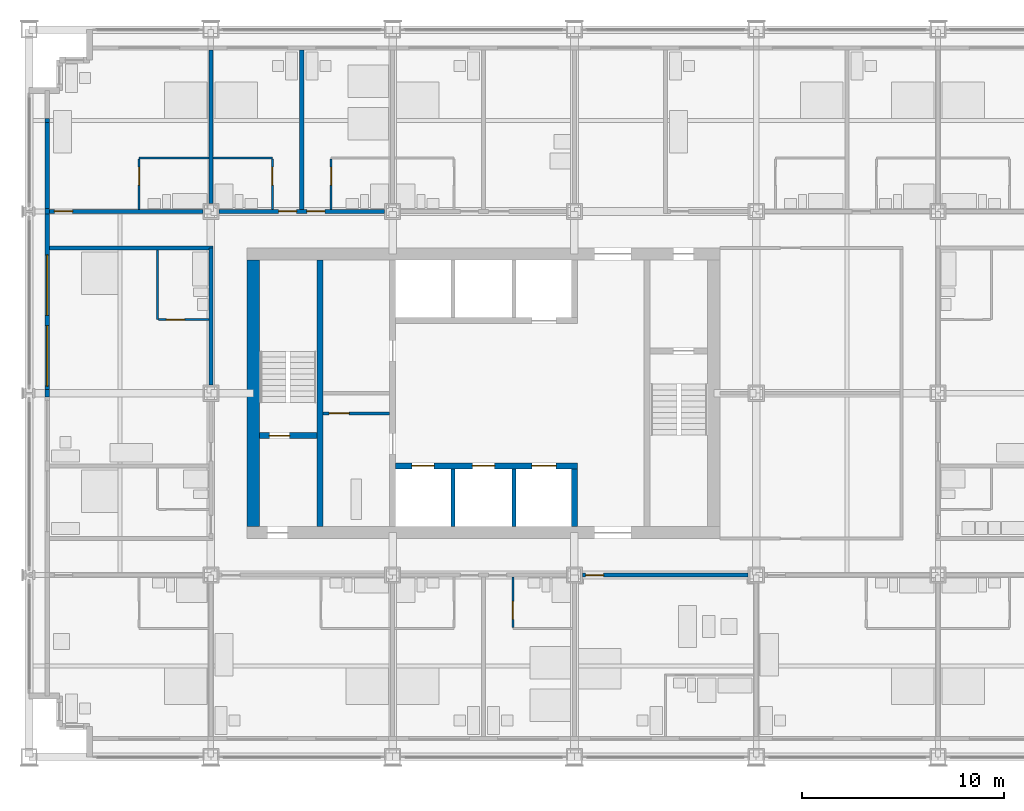
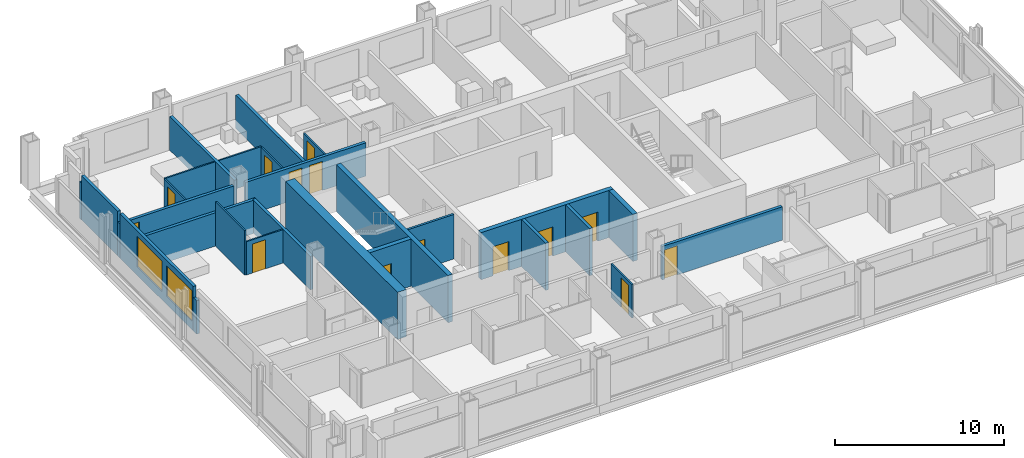
# One storey, part 11 of 18: 28 walls, 14 doors, 2 windows, 16 openings.
"""IFC4 building model written with IfcOpenShell, lengths in metres."""

import ifcopenshell
import ifcopenshell.guid

model = None  # the IFC model being written
_history = None  # IfcOwnerHistory: only IFC2X3 demands one
_inside = {}  # id of a spatial element -> (the spatial element, [elements in it])
_under = {}  # id of a project, library or spatial element -> (it, [spatial elements below it])
_declared = {}  # id of a project -> (the project, [libraries it declares])
_typed = {}  # id of a type object -> (the type object, [elements of that type])
_made_of = {}  # id of a material, layer set ... -> (it, [elements and type objects made of it])


def new_model(schema):
    """Start an empty IFC model of exactly this schema.

    Asked for "IFC4X3", IfcOpenShell would pick the latest addendum, in which some entities
    have other attributes; the version numbers below select the first issue.
    IFC2X3 requires an IfcOwnerHistory on every rooted entity: one is made here for all.
    """
    global model, _history
    if schema == "IFC4X3":
        model = ifcopenshell.file(schema_version=(4, 3, 0, 0))
    else:
        model = ifcopenshell.file(schema=schema)
    _inside.clear()
    _under.clear()
    _declared.clear()
    _typed.clear()
    _made_of.clear()
    _history = None
    if model.schema == "IFC2X3":
        org = make("IfcOrganization", Name="unknown")
        user = make(
            "IfcPersonAndOrganization",
            ThePerson=make("IfcPerson", FamilyName="unknown"),
            TheOrganization=org,
        )
        app = make(
            "IfcApplication",
            ApplicationDeveloper=org,
            Version="unknown",
            ApplicationFullName="unknown",
            ApplicationIdentifier="unknown",
        )
        _history = make(
            "IfcOwnerHistory",
            OwningUser=user,
            OwningApplication=app,
            ChangeAction="ADDED",
            CreationDate=0,
        )
    return model


def make(cls, **values):
    """One entity of the class cls with the attributes given. An attribute that is None is left unset."""
    return model.create_entity(
        cls, **{name: value for name, value in values.items() if value is not None}
    )


def rooted(cls, **values):
    """An entity with a GlobalId (a new one), such as an element, a storey or a relation."""
    return make(cls, GlobalId=ifcopenshell.guid.new(), OwnerHistory=_history, **values)


def si_unit(unit_type, name, prefix=None):
    """IfcSIUnit, for example si_unit("LENGTHUNIT", "METRE", prefix="MILLI")."""
    return make("IfcSIUnit", UnitType=unit_type, Prefix=prefix, Name=name)


def assignment(units):
    """IfcUnitAssignment: the units of a project."""
    return None if units is None else make("IfcUnitAssignment", Units=units)


def point(xyz):
    """IfcCartesianPoint."""
    return None if xyz is None else make("IfcCartesianPoint", Coordinates=xyz)


def direction(xyz):
    """IfcDirection."""
    return None if xyz is None else make("IfcDirection", DirectionRatios=xyz)


def frame(location, z_axis=None, x_axis=None):
    """IfcAxis2Placement3D, a coordinate frame: its origin and axes. An axis left out is left unset."""
    return make(
        "IfcAxis2Placement3D",
        Location=point(location),
        Axis=direction(z_axis),
        RefDirection=direction(x_axis),
    )


def frame_2d(location, x_axis=None):
    """IfcAxis2Placement2D, a coordinate frame in the plane: its origin and x axis."""
    return make(
        "IfcAxis2Placement2D", Location=point(location), RefDirection=direction(x_axis)
    )


def origin():
    """The frame at (0, 0, 0) with its axes left unset."""
    return frame((0.0, 0.0, 0.0))


def place(relative_to, where):
    """IfcLocalPlacement: puts the frame where relative to a parent placement (None: the world)."""
    return make(
        "IfcLocalPlacement", PlacementRelTo=relative_to, RelativePlacement=where
    )


def context(
    kind, dimensions, precision=None, world=None, true_north=None, identifier=None
):
    """IfcGeometricRepresentationContext, for example the 3D "Model" context."""
    return make(
        "IfcGeometricRepresentationContext",
        ContextIdentifier=identifier,
        ContextType=kind,
        CoordinateSpaceDimension=dimensions,
        Precision=precision,
        WorldCoordinateSystem=world,
        TrueNorth=true_north,
    )


def subcontext(parent, identifier, kind, view, scale=None):
    """IfcGeometricRepresentationSubContext, for example "Body" below "Model"."""
    return make(
        "IfcGeometricRepresentationSubContext",
        ContextIdentifier=identifier,
        ContextType=kind,
        ParentContext=parent,
        TargetScale=scale,
        TargetView=view,
    )


def project(units=None, contexts=None):
    """IfcProject with its units and contexts."""
    return rooted(
        "IfcProject",
        Name="project",
        RepresentationContexts=contexts,
        UnitsInContext=assignment(units),
    )


def spatial(cls, under=None, at=None, **own):
    """A site, building, storey or space (cls), placed at a placement, below another one or the project."""
    s = rooted(cls, ObjectPlacement=at, **own)
    if under is not None:
        _under.setdefault(under.id(), (under, []))[1].append(s)
    return s


def profile(cls, at=None, kind="AREA", **sizes):
    """A parametric profile (cls). Its sizes go by their IFC names, for example OverallWidth=200.0."""
    return make(cls, ProfileType=kind, Position=at, **sizes)


def rectangle(**sizes):
    """IfcRectangleProfileDef."""
    return profile("IfcRectangleProfileDef", **sizes)


def extrude(swept, where, along, depth):
    """IfcExtrudedAreaSolid: the profile swept, set in the frame where, extruded along a direction by depth."""
    return make(
        "IfcExtrudedAreaSolid",
        SweptArea=swept,
        Position=where,
        ExtrudedDirection=direction(along),
        Depth=depth,
    )


def shape(context_of_items, identifier, shape_type, items):
    """IfcShapeRepresentation: the items that make up one representation, for example the "Body"."""
    return make(
        "IfcShapeRepresentation",
        ContextOfItems=context_of_items,
        RepresentationIdentifier=identifier,
        RepresentationType=shape_type,
        Items=items,
    )


def material(Name=None, Category=None):
    """IfcMaterial."""
    return make("IfcMaterial", Name=Name, Category=Category)


def layer(
    of_material, thickness, ventilated=None, Name=None, Category=None, Priority=None
):
    """IfcMaterialLayer: one layer of a wall or slab, of a material (None: an air gap)."""
    return make(
        "IfcMaterialLayer",
        Material=of_material,
        LayerThickness=thickness,
        IsVentilated=ventilated,
        Name=Name,
        Category=Category,
        Priority=Priority,
    )


def layer_set(layers, Name=None):
    """IfcMaterialLayerSet."""
    return make("IfcMaterialLayerSet", MaterialLayers=layers, LayerSetName=Name)


def made_of(thing, what):
    """Note that an element or type object is made of a material, layer set ...; save() writes the relation."""
    if what is not None:
        _made_of.setdefault(what.id(), (what, []))[1].append(thing)
    return thing


def type_object(cls, material=None, **own):
    """A type object (cls), such as IfcWallType, which elements share."""
    return made_of(rooted(cls, **own), material)


def element(
    cls,
    number,
    at=None,
    inside=None,
    cuts=None,
    type_object=None,
    material=None,
    context=None,
    identifier="Body",
    shape_type=None,
    held_by="IfcProductDefinitionShape",
    body=None,
    shapes=None,
    **own,
):
    """One element of the class cls, such as IfcWall. Its Tag is "e" and its number.

    at: its placement. inside: the storey or other place that contains it. cuts: it is an
    opening in that element (IfcRelVoidsElement). A single representation is given by context,
    identifier, shape_type and body (its items); several are given by shapes. held_by: the class
    of the entity that holds the representations. save() writes the other relations.
    """
    e = rooted(cls, Tag="e%d" % number, ObjectPlacement=at, **own)
    if body is not None:
        shapes = [shape(context, identifier, shape_type, body)]
    if shapes is not None:
        e.Representation = make(held_by, Representations=shapes)
    if inside is not None:
        _inside.setdefault(inside.id(), (inside, []))[1].append(e)
    if cuts is not None:
        rooted(
            "IfcRelVoidsElement", RelatingBuildingElement=cuts, RelatedOpeningElement=e
        )
    if type_object is not None:
        _typed.setdefault(type_object.id(), (type_object, []))[1].append(e)
    return made_of(e, material)


def fill(opening, filler):
    """IfcRelFillsElement: the door or window that sits in an opening."""
    return rooted(
        "IfcRelFillsElement",
        RelatingOpeningElement=opening,
        RelatedBuildingElement=filler,
    )


def aggregate(whole, parts):
    """IfcRelAggregates: a whole, such as a stair, and the parts it consists of."""
    return rooted("IfcRelAggregates", RelatingObject=whole, RelatedObjects=parts)


def save(model, path):
    """Write the relations noted so far, then the file.

    IfcRelAggregates (storeys below a building ...), IfcRelContainedInSpatialStructure (elements
    in a storey), IfcRelDefinesByType, IfcRelAssociatesMaterial and IfcRelDeclares: one each for
    every whole, place, type object, material and project.
    """
    for whole, parts in _under.values():
        aggregate(whole, parts)
    for where, things in _inside.values():
        rooted(
            "IfcRelContainedInSpatialStructure",
            RelatedElements=things,
            RelatingStructure=where,
        )
    for kind, things in _typed.values():
        rooted("IfcRelDefinesByType", RelatedObjects=things, RelatingType=kind)
    for what, things in _made_of.values():
        rooted("IfcRelAssociatesMaterial", RelatedObjects=things, RelatingMaterial=what)
    for by, libraries in _declared.values():
        rooted("IfcRelDeclares", RelatingContext=by, RelatedDefinitions=libraries)
    model.write(path)


model = new_model("IFC4")

# Units and contexts
model_context = context("Model", 3, precision=1e-05, world=origin(), true_north=direction((0.0, 1.0)))
body_context = subcontext(model_context, "Body", "Model", "MODEL_VIEW")
ifc_project = project(units=[si_unit("LENGTHUNIT", "METRE"), si_unit("AREAUNIT", "SQUARE_METRE"), si_unit("VOLUMEUNIT", "CUBIC_METRE"), si_unit("PLANEANGLEUNIT", "RADIAN"), si_unit("MASSUNIT", "GRAM", prefix="KILO")], contexts=[model_context])

# Site, building, storey
site_placement = place(None, origin())
site = spatial("IfcSite", under=ifc_project, at=site_placement, CompositionType="ELEMENT")
building_placement = place(site_placement, origin())
building = spatial("IfcBuilding", under=site, at=building_placement, Name="Loomwork Tower", CompositionType="ELEMENT")
storey_placement = place(building_placement, frame((0.0, 0.0, 68.800048828125)))
storey = spatial("IfcBuildingStorey", under=building, at=storey_placement, Name="L17", CompositionType="ELEMENT", Elevation=68.800048828125)

# Wall
ifc_material_1 = material(Name="Concrete 14000 psi (97 MPa)", Category="concrete")
ifc_layer_1 = layer(ifc_material_1, 0.300048828125)
ifc_layer_set_1 = layer_set([ifc_layer_1], Name="Core shear wall 300")
wall_type_1 = type_object("IfcWallType", Name="Core shear wall 300", PredefinedType="SHEAR", material=ifc_layer_set_1)
wall_1_placement = place(storey_placement, frame((14.39990234375, 11.39990234375, 0.0), z_axis=(0.0, 0.0, 1.0), x_axis=(0.0, 1.0, 0.0)))
element("IfcWall", 1, at=wall_1_placement, inside=storey, type_object=wall_type_1, Name="Stair A east wall L17", PredefinedType="SHEAR", context=body_context, shape_type="SweptSolid", body=[
    extrude(rectangle(XDim=13.2001953125, YDim=0.300048828125, at=frame_2d((6.60009765625, 0.0))), origin(), (0.0, 0.0, 1.0), 3.39990234375),
])

# Wall, opening, door
wall_2_placement = place(storey_placement, frame((11.39990234375, 15.89990234375, 0.0), z_axis=(0.0, 0.0, 1.0), x_axis=(1.0, 0.0, 0.0)))
wall_2 = element("IfcWall", 2, at=wall_2_placement, inside=storey, type_object=wall_type_1, Name="Stair A south wall L17", PredefinedType="SHEAR", context=body_context, shape_type="SweptSolid", body=[
    extrude(rectangle(XDim=2.85009765625, YDim=0.300048828125, at=frame_2d((1.425048828125, 0.0))), origin(), (0.0, 0.0, 1.0), 3.39990234375),
])
opening_1_placement = place(wall_2_placement, frame((0.5, 0.0, 0.0)))
opening_1 = element("IfcOpeningElement", 3, at=opening_1_placement, cuts=wall_2, Name="Opening D4", PredefinedType="OPENING", context=body_context, shape_type="SweptSolid", body=[
    extrude(rectangle(XDim=1.0, YDim=2.10009765625, at=frame_2d((0.5, 1.050048828125))), frame((0.0, 0.159912109375, 0.0), z_axis=(0.0, -1.0, 0.0), x_axis=(1.0, 0.0, 0.0)), (0.0, 0.0, 1.0), 0.320068359375),
])
ifc_material_2 = material(Name="Hollow metal door and frame")
door_type_1 = type_object("IfcDoorType", Name="Stair door 1000", OperationType="SINGLE_SWING_RIGHT", PredefinedType="DOOR", material=ifc_material_2)
door_1_placement = place(opening_1_placement, origin())
door_1 = element("IfcDoor", 4, at=door_1_placement, inside=storey, type_object=door_type_1, Name="Stair A door", OperationType="SINGLE_SWING_LEFT", OverallHeight=2.10009765625, OverallWidth=1.0, PredefinedType="DOOR", context=body_context, shape_type="SweptSolid", body=[
    extrude(rectangle(XDim=1.0, YDim=2.10009765625, at=frame_2d((0.5, 1.050048828125))), frame((0.0, 0.02490234375, 0.0), z_axis=(0.0, -1.0, 0.0), x_axis=(1.0, 0.0, 0.0)), (0.0, 0.0, 1.0), 0.050048828125),
])
fill(opening_1, door_1)

# Wall, openings, doors
wall_3_placement = place(storey_placement, frame((18.14990234375, 14.39990234375, 0.0), z_axis=(0.0, 0.0, 1.0), x_axis=(1.0, 0.0, 0.0)))
wall_3 = element("IfcWall", 5, at=wall_3_placement, inside=storey, type_object=wall_type_1, Name="Lift front wall south L17", PredefinedType="SHEAR", context=body_context, shape_type="SweptSolid", body=[
    extrude(rectangle(XDim=9.0, YDim=0.300048828125, at=frame_2d((4.5, 0.0))), origin(), (0.0, 0.0, 1.0), 3.39990234375),
])
opening_2_placement = place(wall_3_placement, frame((0.800048828125, 0.0, 0.0)))
opening_2 = element("IfcOpeningElement", 6, at=opening_2_placement, cuts=wall_3, Name="Opening LD1", PredefinedType="OPENING", context=body_context, shape_type="SweptSolid", body=[
    extrude(rectangle(XDim=1.10009765625, YDim=2.10009765625, at=frame_2d((0.550048828125, 1.050048828125))), frame((0.0, 0.159912109375, 0.0), z_axis=(0.0, -1.0, 0.0), x_axis=(1.0, 0.0, 0.0)), (0.0, 0.0, 1.0), 0.320068359375),
])
opening_3_placement = place(wall_3_placement, frame((3.800048828125, 0.0, 0.0)))
opening_3 = element("IfcOpeningElement", 7, at=opening_3_placement, cuts=wall_3, Name="Opening LD1", PredefinedType="OPENING", context=body_context, shape_type="SweptSolid", body=[
    extrude(rectangle(XDim=1.10009765625, YDim=2.10009765625, at=frame_2d((0.550048828125, 1.050048828125))), frame((0.0, 0.159912109375, 0.0), z_axis=(0.0, -1.0, 0.0), x_axis=(1.0, 0.0, 0.0)), (0.0, 0.0, 1.0), 0.320068359375),
])
opening_4_placement = place(wall_3_placement, frame((6.75, 0.0, 0.0)))
opening_4 = element("IfcOpeningElement", 8, at=opening_4_placement, cuts=wall_3, Name="Opening LD2", PredefinedType="OPENING", context=body_context, shape_type="SweptSolid", body=[
    extrude(rectangle(XDim=1.199951171875, YDim=2.10009765625, at=frame_2d((0.60009765625, 1.050048828125))), frame((0.0, 0.159912109375, 0.0), z_axis=(0.0, -1.0, 0.0), x_axis=(1.0, 0.0, 0.0)), (0.0, 0.0, 1.0), 0.320068359375),
])
ifc_material_3 = material(Name="Hollow metal door and frame")
door_type_2 = type_object("IfcDoorType", Name="Lift landing door 1100", OperationType="SLIDING_TO_LEFT", PredefinedType="DOOR", material=ifc_material_3)
door_2_placement = place(opening_2_placement, origin())
door_2 = element("IfcDoor", 9, at=door_2_placement, inside=storey, type_object=door_type_2, Name="Lift landing door LA1", OperationType="SLIDING_TO_LEFT", OverallHeight=2.10009765625, OverallWidth=1.10009765625, PredefinedType="DOOR", context=body_context, shape_type="SweptSolid", body=[
    extrude(rectangle(XDim=1.10009765625, YDim=2.10009765625, at=frame_2d((0.550048828125, 1.050048828125))), frame((0.0, 0.02490234375, 0.0), z_axis=(0.0, -1.0, 0.0), x_axis=(1.0, 0.0, 0.0)), (0.0, 0.0, 1.0), 0.050048828125),
])
fill(opening_2, door_2)
door_3_placement = place(opening_3_placement, origin())
door_3 = element("IfcDoor", 10, at=door_3_placement, inside=storey, type_object=door_type_2, Name="Lift landing door LA2", OperationType="SLIDING_TO_LEFT", OverallHeight=2.10009765625, OverallWidth=1.10009765625, PredefinedType="DOOR", context=body_context, shape_type="SweptSolid", body=[
    extrude(rectangle(XDim=1.10009765625, YDim=2.10009765625, at=frame_2d((0.550048828125, 1.050048828125))), frame((0.0, 0.02490234375, 0.0), z_axis=(0.0, -1.0, 0.0), x_axis=(1.0, 0.0, 0.0)), (0.0, 0.0, 1.0), 0.050048828125),
])
fill(opening_3, door_3)
ifc_material_4 = material(Name="Hollow metal door and frame")
door_type_3 = type_object("IfcDoorType", Name="Lift landing door 1200", OperationType="SLIDING_TO_LEFT", PredefinedType="DOOR", material=ifc_material_4)
door_4_placement = place(opening_4_placement, origin())
door_4 = element("IfcDoor", 11, at=door_4_placement, inside=storey, type_object=door_type_3, Name="Lift landing door LF1", OperationType="SLIDING_TO_LEFT", OverallHeight=2.10009765625, OverallWidth=1.199951171875, PredefinedType="DOOR", context=body_context, shape_type="SweptSolid", body=[
    extrude(rectangle(XDim=1.199951171875, YDim=2.10009765625, at=frame_2d((0.60009765625, 1.050048828125))), frame((0.0, 0.02490234375, 0.0), z_axis=(0.0, -1.0, 0.0), x_axis=(1.0, 0.0, 0.0)), (0.0, 0.0, 1.0), 0.050048828125),
])
fill(opening_4, door_4)

# Walls
wall_4_placement = place(storey_placement, frame((27.0, 11.39990234375, 0.0), z_axis=(0.0, 0.0, 1.0), x_axis=(0.0, 1.0, 0.0)))
element("IfcWall", 12, at=wall_4_placement, inside=storey, type_object=wall_type_1, Name="Lift shaft end wall south L17", PredefinedType="SHEAR", context=body_context, shape_type="SweptSolid", body=[
    extrude(rectangle(XDim=2.85009765625, YDim=0.300048828125, at=frame_2d((1.425048828125, 0.0))), origin(), (0.0, 0.0, 1.0), 3.39990234375),
])
ifc_material_5 = material(Name="Concrete 14000 psi (97 MPa)", Category="concrete")
ifc_layer_2 = layer(ifc_material_5, 0.60009765625)
ifc_layer_set_2 = layer_set([ifc_layer_2], Name="Core shear wall 600")
wall_type_2 = type_object("IfcWallType", Name="Core shear wall 600", PredefinedType="SHEAR", material=ifc_layer_set_2)
wall_5_placement = place(storey_placement, frame((11.10009765625, 11.39990234375, 0.0), z_axis=(0.0, 0.0, 1.0), x_axis=(0.0, 1.0, 0.0)))
element("IfcWall", 13, at=wall_5_placement, inside=storey, type_object=wall_type_2, Name="Core wall west L17", PredefinedType="SHEAR", context=body_context, shape_type="SweptSolid", body=[
    extrude(rectangle(XDim=13.2001953125, YDim=0.60009765625, at=frame_2d((6.60009765625, 0.0))), origin(), (0.0, 0.0, 1.0), 3.39990234375),
])

# Wall, opening, door
ifc_material_6 = material(Name="Gypsum board on steel studs, one-hour", Category="steel")
ifc_layer_3 = layer(ifc_material_6, 0.199951171875)
ifc_layer_set_3 = layer_set([ifc_layer_3], Name="Corridor wall 200")
wall_type_3 = type_object("IfcWallType", Name="Corridor wall 200", PredefinedType="PARTITIONING", material=ifc_layer_set_3)
wall_6_placement = place(storey_placement, frame((27.39990234375, 9.0, 0.0), z_axis=(0.0, 0.0, 1.0), x_axis=(1.0, 0.0, 0.0)))
wall_6 = element("IfcWall", 14, at=wall_6_placement, inside=storey, type_object=wall_type_3, Name="South corridor wall 4", PredefinedType="PARTITIONING", context=body_context, shape_type="SweptSolid", body=[
    extrude(rectangle(XDim=8.2001953125, YDim=0.199951171875, at=frame_2d((4.10009765625, 0.0))), origin(), (0.0, 0.0, 1.0), 2.405029296875),
])
opening_5_placement = place(wall_6_placement, frame((0.14990234375, 0.0, 0.0)))
opening_5 = element("IfcOpeningElement", 15, at=opening_5_placement, cuts=wall_6, Name="Opening D1", PredefinedType="OPENING", context=body_context, shape_type="SweptSolid", body=[
    extrude(rectangle(XDim=0.89990234375, YDim=2.10009765625, at=frame_2d((0.449951171875, 1.050048828125))), frame((0.0, 0.10986328125, 0.0), z_axis=(0.0, -1.0, 0.0), x_axis=(1.0, 0.0, 0.0)), (0.0, 0.0, 1.0), 0.219970703125),
])
ifc_material_7 = material(Name="Hollow metal door and frame")
door_type_4 = type_object("IfcDoorType", Name="Guest room entry door 900", OperationType="SINGLE_SWING_LEFT", PredefinedType="DOOR", material=ifc_material_7)
door_5_placement = place(opening_5_placement, frame((0.89990234375, 0.0, 0.0), z_axis=(0.0, 0.0, 1.0), x_axis=(-1.0, 0.0, 0.0)))
door_5 = element("IfcDoor", 16, at=door_5_placement, inside=storey, type_object=door_type_4, Name="Guest room entry door L17 5", OperationType="SINGLE_SWING_RIGHT", OverallHeight=2.10009765625, OverallWidth=0.89990234375, PredefinedType="DOOR", context=body_context, shape_type="SweptSolid", body=[
    extrude(rectangle(XDim=0.89990234375, YDim=2.10009765625, at=frame_2d((0.449951171875, 1.050048828125))), frame((0.0, 0.02490234375, 0.0), z_axis=(0.0, -1.0, 0.0), x_axis=(1.0, 0.0, 0.0)), (0.0, 0.0, 1.0), 0.050048828125),
])
fill(opening_5, door_5)

wall_7_placement = place(storey_placement, frame((1.0, 27.0, 0.0), z_axis=(0.0, 0.0, 1.0), x_axis=(1.0, 0.0, 0.0)))
wall_7 = element("IfcWall", 17, at=wall_7_placement, inside=storey, type_object=wall_type_3, Name="North corridor wall 1", PredefinedType="PARTITIONING", context=body_context, shape_type="SweptSolid", body=[
    extrude(rectangle(XDim=7.60009765625, YDim=0.199951171875, at=frame_2d((3.800048828125, 0.0))), origin(), (0.0, 0.0, 1.0), 2.43798828125),
])
opening_6_placement = place(wall_7_placement, frame((0.25, 0.0, 0.0)))
opening_6 = element("IfcOpeningElement", 18, at=opening_6_placement, cuts=wall_7, Name="Opening D1", PredefinedType="OPENING", context=body_context, shape_type="SweptSolid", body=[
    extrude(rectangle(XDim=0.89990234375, YDim=2.10009765625, at=frame_2d((0.449951171875, 1.050048828125))), frame((0.0, 0.10986328125, 0.0), z_axis=(0.0, -1.0, 0.0), x_axis=(1.0, 0.0, 0.0)), (0.0, 0.0, 1.0), 0.219970703125),
])
door_6_placement = place(opening_6_placement, origin())
door_6 = element("IfcDoor", 19, at=door_6_placement, inside=storey, type_object=door_type_4, Name="Guest room entry door L17 8", OperationType="SINGLE_SWING_LEFT", OverallHeight=2.10009765625, OverallWidth=0.89990234375, PredefinedType="DOOR", context=body_context, shape_type="SweptSolid", body=[
    extrude(rectangle(XDim=0.89990234375, YDim=2.10009765625, at=frame_2d((0.449951171875, 1.050048828125))), frame((0.0, 0.02490234375, 0.0), z_axis=(0.0, -1.0, 0.0), x_axis=(1.0, 0.0, 0.0)), (0.0, 0.0, 1.0), 0.050048828125),
])
fill(opening_6, door_6)

# Wall, openings, doors
wall_8_placement = place(storey_placement, frame((9.39990234375, 27.0, 0.0), z_axis=(0.0, 0.0, 1.0), x_axis=(1.0, 0.0, 0.0)))
wall_8 = element("IfcWall", 20, at=wall_8_placement, inside=storey, type_object=wall_type_3, Name="North corridor wall 2", PredefinedType="PARTITIONING", context=body_context, shape_type="SweptSolid", body=[
    extrude(rectangle(XDim=8.2001953125, YDim=0.199951171875, at=frame_2d((4.10009765625, 0.0))), origin(), (0.0, 0.0, 1.0), 2.405029296875),
])
opening_7_placement = place(wall_8_placement, frame((2.949951171875, 0.0, 0.0)))
opening_7 = element("IfcOpeningElement", 21, at=opening_7_placement, cuts=wall_8, Name="Opening D1", PredefinedType="OPENING", context=body_context, shape_type="SweptSolid", body=[
    extrude(rectangle(XDim=0.89990234375, YDim=2.10009765625, at=frame_2d((0.449951171875, 1.050048828125))), frame((0.0, 0.10986328125, 0.0), z_axis=(0.0, -1.0, 0.0), x_axis=(1.0, 0.0, 0.0)), (0.0, 0.0, 1.0), 0.219970703125),
])
opening_8_placement = place(wall_8_placement, frame((4.35009765625, 0.0, 0.0)))
opening_8 = element("IfcOpeningElement", 22, at=opening_8_placement, cuts=wall_8, Name="Opening D1", PredefinedType="OPENING", context=body_context, shape_type="SweptSolid", body=[
    extrude(rectangle(XDim=0.89990234375, YDim=2.10009765625, at=frame_2d((0.449951171875, 1.050048828125))), frame((0.0, 0.10986328125, 0.0), z_axis=(0.0, -1.0, 0.0), x_axis=(1.0, 0.0, 0.0)), (0.0, 0.0, 1.0), 0.219970703125),
])
door_7_placement = place(opening_7_placement, origin())
door_7 = element("IfcDoor", 23, at=door_7_placement, inside=storey, type_object=door_type_4, Name="Guest room entry door L17 9", OperationType="SINGLE_SWING_RIGHT", OverallHeight=2.10009765625, OverallWidth=0.89990234375, PredefinedType="DOOR", context=body_context, shape_type="SweptSolid", body=[
    extrude(rectangle(XDim=0.89990234375, YDim=2.10009765625, at=frame_2d((0.449951171875, 1.050048828125))), frame((0.0, 0.02490234375, 0.0), z_axis=(0.0, -1.0, 0.0), x_axis=(1.0, 0.0, 0.0)), (0.0, 0.0, 1.0), 0.050048828125),
])
fill(opening_7, door_7)
door_8_placement = place(opening_8_placement, origin())
door_8 = element("IfcDoor", 24, at=door_8_placement, inside=storey, type_object=door_type_4, Name="Guest room entry door L17 10", OperationType="SINGLE_SWING_LEFT", OverallHeight=2.10009765625, OverallWidth=0.89990234375, PredefinedType="DOOR", context=body_context, shape_type="SweptSolid", body=[
    extrude(rectangle(XDim=0.89990234375, YDim=2.10009765625, at=frame_2d((0.449951171875, 1.050048828125))), frame((0.0, 0.02490234375, 0.0), z_axis=(0.0, -1.0, 0.0), x_axis=(1.0, 0.0, 0.0)), (0.0, 0.0, 1.0), 0.050048828125),
])
fill(opening_8, door_8)

# Walls
wall_9_placement = place(storey_placement, frame((9.0, 18.39990234375, 0.0), z_axis=(0.0, 0.0, 1.0), x_axis=(0.0, 1.0, 0.0)))
element("IfcWall", 25, at=wall_9_placement, inside=storey, type_object=wall_type_3, Name="West corridor wall 2", PredefinedType="PARTITIONING", context=body_context, shape_type="SweptSolid", body=[
    extrude(rectangle(XDim=6.800048828125, YDim=0.199951171875, at=frame_2d((3.39990234375, 0.0))), origin(), (0.0, 0.0, 1.0), 2.405029296875),
])
wall_10_placement = place(storey_placement, frame((1.0, 25.199951171875, 0.0), z_axis=(0.0, 0.0, 1.0), x_axis=(1.0, 0.0, 0.0)))
element("IfcWall", 26, at=wall_10_placement, inside=storey, type_object=wall_type_3, Name="West band end wall N", PredefinedType="PARTITIONING", context=body_context, shape_type="SweptSolid", body=[
    extrude(rectangle(XDim=8.10009765625, YDim=0.199951171875, at=frame_2d((4.050048828125, 0.0))), origin(), (0.0, 0.0, 1.0), 2.404052734375),
])

# Wall, opening, door
ifc_material_8 = material(Name="Cement board on steel studs", Category="steel")
ifc_layer_4 = layer(ifc_material_8, 0.10009765625)
ifc_layer_set_4 = layer_set([ifc_layer_4], Name="En-suite partition 100")
wall_type_4 = type_object("IfcWallType", Name="En-suite partition 100", PredefinedType="PARTITIONING", material=ifc_layer_set_4)
wall_11_placement = place(storey_placement, frame((23.949951171875, 8.89990234375, 0.0), z_axis=(0.0, 0.0, 1.0), x_axis=(0.0, -1.0, 0.0)))
wall_11 = element("IfcWall", 27, at=wall_11_placement, inside=storey, type_object=wall_type_4, Name="En-suite side wall L17 room 4", PredefinedType="PARTITIONING", context=body_context, shape_type="SweptSolid", body=[
    extrude(rectangle(XDim=2.5, YDim=0.10009765625, at=frame_2d((1.25, 0.0))), origin(), (0.0, 0.0, 1.0), 2.404052734375),
])
opening_9_placement = place(wall_11_placement, frame((1.199951171875, 0.0, 0.0)))
opening_9 = element("IfcOpeningElement", 28, at=opening_9_placement, cuts=wall_11, Name="Opening D2", PredefinedType="OPENING", context=body_context, shape_type="SweptSolid", body=[
    extrude(rectangle(XDim=0.89990234375, YDim=2.10009765625, at=frame_2d((0.449951171875, 1.050048828125))), frame((0.0, 0.06005859375, 0.0), z_axis=(0.0, -1.0, 0.0), x_axis=(1.0, 0.0, 0.0)), (0.0, 0.0, 1.0), 0.1201171875),
])
ifc_material_9 = material(Name="Hollow metal door and frame")
door_type_5 = type_object("IfcDoorType", Name="En-suite door 900", OperationType="SINGLE_SWING_LEFT", PredefinedType="DOOR", material=ifc_material_9)
door_9_placement = place(opening_9_placement, origin())
door_9 = element("IfcDoor", 29, at=door_9_placement, inside=storey, type_object=door_type_5, Name="En-suite door room 4", OperationType="SINGLE_SWING_RIGHT", OverallHeight=2.10009765625, OverallWidth=0.89990234375, PredefinedType="DOOR", context=body_context, shape_type="SweptSolid", body=[
    extrude(rectangle(XDim=0.89990234375, YDim=2.10009765625, at=frame_2d((0.449951171875, 1.050048828125))), frame((0.0, 0.02490234375, 0.0), z_axis=(0.0, -1.0, 0.0), x_axis=(1.0, 0.0, 0.0)), (0.0, 0.0, 1.0), 0.050048828125),
])
fill(opening_9, door_9)

# Wall
wall_12_placement = place(storey_placement, frame((5.449951171875, 29.64990234375, 0.0), z_axis=(0.0, 0.0, 1.0), x_axis=(1.0, 0.0, 0.0)))
element("IfcWall", 30, at=wall_12_placement, inside=storey, type_object=wall_type_4, Name="En-suite wall L17 room 8", PredefinedType="PARTITIONING", context=body_context, shape_type="SweptSolid", body=[
    extrude(rectangle(XDim=3.449951171875, YDim=0.10009765625, at=frame_2d((1.72509765625, 0.0))), origin(), (0.0, 0.0, 1.0), 2.43798828125),
])

# Wall, opening, door
wall_13_placement = place(storey_placement, frame((5.449951171875, 27.10009765625, 0.0), z_axis=(0.0, 0.0, 1.0), x_axis=(0.0, 1.0, 0.0)))
wall_13 = element("IfcWall", 31, at=wall_13_placement, inside=storey, type_object=wall_type_4, Name="En-suite side wall L17 room 8", PredefinedType="PARTITIONING", context=body_context, shape_type="SweptSolid", body=[
    extrude(rectangle(XDim=2.5, YDim=0.10009765625, at=frame_2d((1.25, 0.0))), origin(), (0.0, 0.0, 1.0), 2.43798828125),
])
opening_10_placement = place(wall_13_placement, frame((1.199951171875, 0.0, 0.0)))
opening_10 = element("IfcOpeningElement", 32, at=opening_10_placement, cuts=wall_13, Name="Opening D2", PredefinedType="OPENING", context=body_context, shape_type="SweptSolid", body=[
    extrude(rectangle(XDim=0.89990234375, YDim=2.10009765625, at=frame_2d((0.449951171875, 1.050048828125))), frame((0.0, 0.06005859375, 0.0), z_axis=(0.0, -1.0, 0.0), x_axis=(1.0, 0.0, 0.0)), (0.0, 0.0, 1.0), 0.1201171875),
])
door_10_placement = place(opening_10_placement, frame((0.89990234375, 0.0, 0.0), z_axis=(0.0, 0.0, 1.0), x_axis=(-1.0, 0.0, 0.0)))
door_10 = element("IfcDoor", 33, at=door_10_placement, inside=storey, type_object=door_type_5, Name="En-suite door room 8", OperationType="SINGLE_SWING_LEFT", OverallHeight=2.10009765625, OverallWidth=0.89990234375, PredefinedType="DOOR", context=body_context, shape_type="SweptSolid", body=[
    extrude(rectangle(XDim=0.89990234375, YDim=2.10009765625, at=frame_2d((0.449951171875, 1.050048828125))), frame((0.0, 0.02490234375, 0.0), z_axis=(0.0, -1.0, 0.0), x_axis=(1.0, 0.0, 0.0)), (0.0, 0.0, 1.0), 0.050048828125),
])
fill(opening_10, door_10)

# Wall
wall_14_placement = place(storey_placement, frame((9.10009765625, 29.64990234375, 0.0), z_axis=(0.0, 0.0, 1.0), x_axis=(1.0, 0.0, 0.0)))
element("IfcWall", 34, at=wall_14_placement, inside=storey, type_object=wall_type_4, Name="En-suite wall L17 room 9", PredefinedType="PARTITIONING", context=body_context, shape_type="SweptSolid", body=[
    extrude(rectangle(XDim=2.949951171875, YDim=0.10009765625, at=frame_2d((1.47509765625, 0.0))), origin(), (0.0, 0.0, 1.0), 2.43798828125),
])

# Wall, opening, door
wall_15_placement = place(storey_placement, frame((12.050048828125, 27.10009765625, 0.0), z_axis=(0.0, 0.0, 1.0), x_axis=(0.0, 1.0, 0.0)))
wall_15 = element("IfcWall", 35, at=wall_15_placement, inside=storey, type_object=wall_type_4, Name="En-suite side wall L17 room 9", PredefinedType="PARTITIONING", context=body_context, shape_type="SweptSolid", body=[
    extrude(rectangle(XDim=2.5, YDim=0.10009765625, at=frame_2d((1.25, 0.0))), origin(), (0.0, 0.0, 1.0), 2.404052734375),
])
opening_11_placement = place(wall_15_placement, frame((1.199951171875, 0.0, 0.0)))
opening_11 = element("IfcOpeningElement", 36, at=opening_11_placement, cuts=wall_15, Name="Opening D2", PredefinedType="OPENING", context=body_context, shape_type="SweptSolid", body=[
    extrude(rectangle(XDim=0.89990234375, YDim=2.10009765625, at=frame_2d((0.449951171875, 1.050048828125))), frame((0.0, 0.06005859375, 0.0), z_axis=(0.0, -1.0, 0.0), x_axis=(1.0, 0.0, 0.0)), (0.0, 0.0, 1.0), 0.1201171875),
])
door_11_placement = place(opening_11_placement, origin())
door_11 = element("IfcDoor", 37, at=door_11_placement, inside=storey, type_object=door_type_5, Name="En-suite door room 9", OperationType="SINGLE_SWING_RIGHT", OverallHeight=2.10009765625, OverallWidth=0.89990234375, PredefinedType="DOOR", context=body_context, shape_type="SweptSolid", body=[
    extrude(rectangle(XDim=0.89990234375, YDim=2.10009765625, at=frame_2d((0.449951171875, 1.050048828125))), frame((0.0, 0.02490234375, 0.0), z_axis=(0.0, -1.0, 0.0), x_axis=(1.0, 0.0, 0.0)), (0.0, 0.0, 1.0), 0.050048828125),
])
fill(opening_11, door_11)

wall_16_placement = place(storey_placement, frame((14.949951171875, 27.10009765625, 0.0), z_axis=(0.0, 0.0, 1.0), x_axis=(0.0, 1.0, 0.0)))
wall_16 = element("IfcWall", 38, at=wall_16_placement, inside=storey, type_object=wall_type_4, Name="En-suite side wall L17 room 10", PredefinedType="PARTITIONING", context=body_context, shape_type="SweptSolid", body=[
    extrude(rectangle(XDim=2.5, YDim=0.10009765625, at=frame_2d((1.25, 0.0))), origin(), (0.0, 0.0, 1.0), 2.404052734375),
])
opening_12_placement = place(wall_16_placement, frame((1.199951171875, 0.0, 0.0)))
opening_12 = element("IfcOpeningElement", 39, at=opening_12_placement, cuts=wall_16, Name="Opening D2", PredefinedType="OPENING", context=body_context, shape_type="SweptSolid", body=[
    extrude(rectangle(XDim=0.89990234375, YDim=2.10009765625, at=frame_2d((0.449951171875, 1.050048828125))), frame((0.0, 0.06005859375, 0.0), z_axis=(0.0, -1.0, 0.0), x_axis=(1.0, 0.0, 0.0)), (0.0, 0.0, 1.0), 0.1201171875),
])
door_12_placement = place(opening_12_placement, frame((0.89990234375, 0.0, 0.0), z_axis=(0.0, 0.0, 1.0), x_axis=(-1.0, 0.0, 0.0)))
door_12 = element("IfcDoor", 40, at=door_12_placement, inside=storey, type_object=door_type_5, Name="En-suite door room 10", OperationType="SINGLE_SWING_LEFT", OverallHeight=2.10009765625, OverallWidth=0.89990234375, PredefinedType="DOOR", context=body_context, shape_type="SweptSolid", body=[
    extrude(rectangle(XDim=0.89990234375, YDim=2.10009765625, at=frame_2d((0.449951171875, 1.050048828125))), frame((0.0, 0.02490234375, 0.0), z_axis=(0.0, -1.0, 0.0), x_axis=(1.0, 0.0, 0.0)), (0.0, 0.0, 1.0), 0.050048828125),
])
fill(opening_12, door_12)

# Wall
wall_17_placement = place(storey_placement, frame((6.35009765625, 21.64990234375, 0.0), z_axis=(0.0, 0.0, 1.0), x_axis=(0.0, 1.0, 0.0)))
element("IfcWall", 41, at=wall_17_placement, inside=storey, type_object=wall_type_4, Name="En-suite wall L17 room 17", PredefinedType="PARTITIONING", context=body_context, shape_type="SweptSolid", body=[
    extrude(rectangle(XDim=3.4501953125, YDim=0.10009765625, at=frame_2d((1.72509765625, 0.0))), origin(), (0.0, 0.0, 1.0), 3.199951171875),
])

# Wall, opening, door
wall_18_placement = place(storey_placement, frame((8.89990234375, 21.64990234375, 0.0), z_axis=(0.0, 0.0, 1.0), x_axis=(-1.0, 0.0, 0.0)))
wall_18 = element("IfcWall", 42, at=wall_18_placement, inside=storey, type_object=wall_type_4, Name="En-suite side wall L17 room 17", PredefinedType="PARTITIONING", context=body_context, shape_type="SweptSolid", body=[
    extrude(rectangle(XDim=2.5, YDim=0.10009765625, at=frame_2d((1.25, 0.0))), origin(), (0.0, 0.0, 1.0), 2.404052734375),
])
opening_13_placement = place(wall_18_placement, frame((1.199951171875, 0.0, 0.0)))
opening_13 = element("IfcOpeningElement", 43, at=opening_13_placement, cuts=wall_18, Name="Opening D2", PredefinedType="OPENING", context=body_context, shape_type="SweptSolid", body=[
    extrude(rectangle(XDim=0.89990234375, YDim=2.10009765625, at=frame_2d((0.449951171875, 1.050048828125))), frame((0.0, 0.06005859375, 0.0), z_axis=(0.0, -1.0, 0.0), x_axis=(1.0, 0.0, 0.0)), (0.0, 0.0, 1.0), 0.1201171875),
])
door_13_placement = place(opening_13_placement, frame((0.89990234375, 0.0, 0.0), z_axis=(0.0, 0.0, 1.0), x_axis=(-1.0, 0.0, 0.0)))
door_13 = element("IfcDoor", 44, at=door_13_placement, inside=storey, type_object=door_type_5, Name="En-suite door room 17", OperationType="SINGLE_SWING_LEFT", OverallHeight=2.10009765625, OverallWidth=0.89990234375, PredefinedType="DOOR", context=body_context, shape_type="SweptSolid", body=[
    extrude(rectangle(XDim=0.89990234375, YDim=2.10009765625, at=frame_2d((0.449951171875, 1.050048828125))), frame((0.0, 0.02490234375, 0.0), z_axis=(0.0, -1.0, 0.0), x_axis=(1.0, 0.0, 0.0)), (0.0, 0.0, 1.0), 0.050048828125),
])
fill(opening_13, door_13)

# Walls
ifc_material_10 = material(Name="Gypsum board on steel studs, acoustic", Category="steel")
ifc_layer_5 = layer(ifc_material_10, 0.199951171875)
ifc_layer_set_5 = layer_set([ifc_layer_5], Name="Guest room party wall 200")
wall_type_5 = type_object("IfcWallType", Name="Guest room party wall 200", PredefinedType="PARTITIONING", material=ifc_layer_set_5)
wall_19_placement = place(storey_placement, frame((9.0, 27.39990234375, 0.0), z_axis=(0.0, 0.0, 1.0), x_axis=(0.0, 1.0, 0.0)))
element("IfcWall", 45, at=wall_19_placement, inside=storey, type_object=wall_type_5, Name="Guest room party wall N 9", PredefinedType="PARTITIONING", context=body_context, shape_type="SweptSolid", body=[
    extrude(rectangle(XDim=7.60009765625, YDim=0.199951171875, at=frame_2d((3.800048828125, 0.0))), origin(), (0.0, 0.0, 1.0), 2.43798828125),
])
wall_20_placement = place(storey_placement, frame((13.5, 27.10009765625, 0.0), z_axis=(0.0, 0.0, 1.0), x_axis=(0.0, 1.0, 0.0)))
element("IfcWall", 46, at=wall_20_placement, inside=storey, type_object=wall_type_5, Name="Guest room party wall N 13.5", PredefinedType="PARTITIONING", context=body_context, shape_type="SweptSolid", body=[
    extrude(rectangle(XDim=7.89990234375, YDim=0.199951171875, at=frame_2d((3.949951171875, 0.0))), origin(), (0.0, 0.0, 1.0), 2.404052734375),
])
ifc_material_11 = material(Name="Insulated steel stud wall with gypsum lining", Category="steel")
ifc_layer_6 = layer(ifc_material_11, 0.199951171875)
ifc_layer_set_6 = layer_set([ifc_layer_6], Name="Inner skin wall 200")
wall_type_6 = type_object("IfcWallType", Name="Inner skin wall 200", PredefinedType="SOLIDWALL", material=ifc_layer_set_6)
wall_21_placement = place(storey_placement, frame((0.89990234375, 17.80615234375, 0.0), z_axis=(0.0, 0.0, 1.0), x_axis=(0.0, 1.0, 0.0)))
element("IfcWall", 47, at=wall_21_placement, inside=storey, type_object=wall_type_6, Name="Inner skin wall W bay 6", PredefinedType="SOLIDWALL", context=body_context, shape_type="SweptSolid", body=[
    extrude(rectangle(XDim=0.3876953125, YDim=0.199951171875, at=frame_2d((0.19384765625, 0.0))), origin(), (0.0, 0.0, 1.0), 2.404052734375),
])

# Wall, openings, windows
wall_22_placement = place(storey_placement, frame((0.89990234375, 18.19384765625, 0.0), z_axis=(0.0, 0.0, 1.0), x_axis=(0.0, 1.0, 0.0)))
wall_22 = element("IfcWall", 48, at=wall_22_placement, inside=storey, type_object=wall_type_6, Name="Inner skin wall W bay 7", PredefinedType="SOLIDWALL", context=body_context, shape_type="SweptSolid", body=[
    extrude(rectangle(XDim=8.6708984375, YDim=0.199951171875, at=frame_2d((4.33544921875, 0.0))), origin(), (0.0, 0.0, 1.0), 3.199951171875),
])
opening_14_placement = place(wall_22_placement, frame((0.15625, 0.0, 0.60009765625)))
opening_14 = element("IfcOpeningElement", 49, at=opening_14_placement, cuts=wall_22, Name="Opening CH1", PredefinedType="OPENING", context=body_context, shape_type="SweptSolid", body=[
    extrude(rectangle(XDim=3.0, YDim=2.199951171875, at=frame_2d((1.5, 1.10009765625))), frame((0.0, 0.10986328125, 0.0), z_axis=(0.0, -1.0, 0.0), x_axis=(1.0, 0.0, 0.0)), (0.0, 0.0, 1.0), 0.219970703125),
])
opening_15_placement = place(wall_22_placement, frame((3.65625, 0.0, 0.60009765625)))
opening_15 = element("IfcOpeningElement", 50, at=opening_15_placement, cuts=wall_22, Name="Opening CH1", PredefinedType="OPENING", context=body_context, shape_type="SweptSolid", body=[
    extrude(rectangle(XDim=3.0, YDim=2.199951171875, at=frame_2d((1.5, 1.10009765625))), frame((0.0, 0.10986328125, 0.0), z_axis=(0.0, -1.0, 0.0), x_axis=(1.0, 0.0, 0.0)), (0.0, 0.0, 1.0), 0.219970703125),
])
ifc_material_12 = material(Name="Aluminium frame with clear insulated glass", Category="aluminium")
window_type = type_object("IfcWindowType", Name="Chicago window 3000", PartitioningType="TRIPLE_PANEL_VERTICAL", PredefinedType="WINDOW", material=ifc_material_12)
window_1_placement = place(opening_14_placement, origin())
window_1 = element("IfcWindow", 51, at=window_1_placement, inside=storey, type_object=window_type, Name="Chicago window L17 bay 14", OverallHeight=2.199951171875, OverallWidth=3.0, PartitioningType="TRIPLE_PANEL_VERTICAL", PredefinedType="WINDOW", context=body_context, shape_type="SweptSolid", body=[
    extrude(rectangle(XDim=3.0, YDim=2.199951171875, at=frame_2d((1.5, 1.10009765625))), frame((0.0, 0.030029296875, 0.0), z_axis=(0.0, -1.0, 0.0), x_axis=(1.0, 0.0, 0.0)), (0.0, 0.0, 1.0), 0.06005859375),
])
fill(opening_14, window_1)
window_2_placement = place(opening_15_placement, origin())
window_2 = element("IfcWindow", 52, at=window_2_placement, inside=storey, type_object=window_type, Name="Chicago window L17 bay 14", OverallHeight=2.199951171875, OverallWidth=3.0, PartitioningType="TRIPLE_PANEL_VERTICAL", PredefinedType="WINDOW", context=body_context, shape_type="SweptSolid", body=[
    extrude(rectangle(XDim=3.0, YDim=2.199951171875, at=frame_2d((1.5, 1.10009765625))), frame((0.0, 0.030029296875, 0.0), z_axis=(0.0, -1.0, 0.0), x_axis=(1.0, 0.0, 0.0)), (0.0, 0.0, 1.0), 0.06005859375),
])
fill(opening_15, window_2)

# Walls
wall_23_placement = place(storey_placement, frame((0.89990234375, 26.86474609375, 0.0), z_axis=(0.0, 0.0, 1.0), x_axis=(0.0, 1.0, 0.0)))
element("IfcWall", 53, at=wall_23_placement, inside=storey, type_object=wall_type_6, Name="Inner skin wall W bay 8", PredefinedType="SOLIDWALL", context=body_context, shape_type="SweptSolid", body=[
    extrude(rectangle(XDim=0.2705078125, YDim=0.199951171875, at=frame_2d((0.13525390625, 0.0))), origin(), (0.0, 0.0, 1.0), 2.43798828125),
])
wall_24_placement = place(storey_placement, frame((0.89990234375, 27.13525390625, 0.0), z_axis=(0.0, 0.0, 1.0), x_axis=(0.0, 1.0, 0.0)))
element("IfcWall", 54, at=wall_24_placement, inside=storey, type_object=wall_type_6, Name="Inner skin wall W bay 9", PredefinedType="SOLIDWALL", context=body_context, shape_type="SweptSolid", body=[
    extrude(rectangle(XDim=4.25732421875, YDim=0.199951171875, at=frame_2d((2.128662109375, 0.0))), origin(), (0.0, 0.0, 1.0), 3.199951171875),
])
wall_25_placement = place(storey_placement, frame((0.89990234375, 31.392578125, 0.0), z_axis=(0.0, 0.0, 1.0), x_axis=(0.0, 1.0, 0.0)))
element("IfcWall", 55, at=wall_25_placement, inside=storey, type_object=wall_type_6, Name="Inner skin wall W bay 10", PredefinedType="SOLIDWALL", context=body_context, shape_type="SweptSolid", body=[
    extrude(rectangle(XDim=0.21484375, YDim=0.199951171875, at=frame_2d((0.107421875, 0.0))), origin(), (0.0, 0.0, 1.0), 2.660888671875),
])
ifc_material_13 = material(Name="Concrete 14000 psi (97 MPa)", Category="concrete")
ifc_layer_7 = layer(ifc_material_13, 0.199951171875)
ifc_layer_set_7 = layer_set([ifc_layer_7], Name="Lift shaft wall 200")
wall_type_7 = type_object("IfcWallType", Name="Lift shaft wall 200", PredefinedType="SHEAR", material=ifc_layer_set_7)
for number, where, z_axis, x_axis, name in (
    (56, (21.0, 11.39990234375, 0.0), (0.0, 0.0, 1.0), (0.0, 1.0, 0.0), "Lift shaft separation wall south 1 L17"),
    (57, (24.0, 11.39990234375, 0.0), (0.0, 0.0, 1.0), (0.0, 1.0, 0.0), "Lift shaft separation wall south 2 L17"),
):
    element("IfcWall", number, at=place(storey_placement, frame(where, z_axis=z_axis, x_axis=x_axis)), inside=storey, type_object=wall_type_7, Name=name, PredefinedType="SHEAR", context=body_context, shape_type="SweptSolid", body=[
        extrude(rectangle(XDim=2.85009765625, YDim=0.199951171875, at=frame_2d((1.425048828125, 0.0))), origin(), (0.0, 0.0, 1.0), 3.39990234375),
    ])

# Wall, opening, door
ifc_material_14 = material(Name="Gypsum board on steel studs, one-hour", Category="steel")
ifc_layer_8 = layer(ifc_material_14, 0.14990234375)
ifc_layer_set_8 = layer_set([ifc_layer_8], Name="Service partition 150")
wall_type_8 = type_object("IfcWallType", Name="Service partition 150", PredefinedType="PARTITIONING", material=ifc_layer_set_8)
wall_26_placement = place(storey_placement, frame((14.550048828125, 17.0, 0.0), z_axis=(0.0, 0.0, 1.0), x_axis=(1.0, 0.0, 0.0)))
wall_26 = element("IfcWall", 58, at=wall_26_placement, inside=storey, type_object=wall_type_8, Name="Riser enclosure L17", PredefinedType="PARTITIONING", context=body_context, shape_type="SweptSolid", body=[
    extrude(rectangle(XDim=3.300048828125, YDim=0.14990234375, at=frame_2d((1.64990234375, 0.0))), origin(), (0.0, 0.0, 1.0), 3.199951171875),
])
opening_16_placement = place(wall_26_placement, frame((0.300048828125, 0.0, 0.0)))
opening_16 = element("IfcOpeningElement", 59, at=opening_16_placement, cuts=wall_26, Name="Opening D18", PredefinedType="OPENING", context=body_context, shape_type="SweptSolid", body=[
    extrude(rectangle(XDim=1.0, YDim=2.10009765625, at=frame_2d((0.5, 1.050048828125))), frame((0.0, 0.0849609375, 0.0), z_axis=(0.0, -1.0, 0.0), x_axis=(1.0, 0.0, 0.0)), (0.0, 0.0, 1.0), 0.169921875),
])
ifc_material_15 = material(Name="Hollow metal door and frame")
door_type_6 = type_object("IfcDoorType", Name="Ninety-minute service door 1000", OperationType="SINGLE_SWING_LEFT", PredefinedType="DOOR", material=ifc_material_15)
door_14_placement = place(opening_16_placement, frame((1.0, 0.0, 0.0), z_axis=(0.0, 0.0, 1.0), x_axis=(-1.0, 0.0, 0.0)))
door_14 = element("IfcDoor", 60, at=door_14_placement, inside=storey, type_object=door_type_6, Name="Riser access door", OperationType="SINGLE_SWING_RIGHT", OverallHeight=2.10009765625, OverallWidth=1.0, PredefinedType="DOOR", context=body_context, shape_type="SweptSolid", body=[
    extrude(rectangle(XDim=1.0, YDim=2.10009765625, at=frame_2d((0.5, 1.050048828125))), frame((0.0, 0.02490234375, 0.0), z_axis=(0.0, -1.0, 0.0), x_axis=(1.0, 0.0, 0.0)), (0.0, 0.0, 1.0), 0.050048828125),
])
fill(opening_16, door_14)

save(model, "model.ifc")
